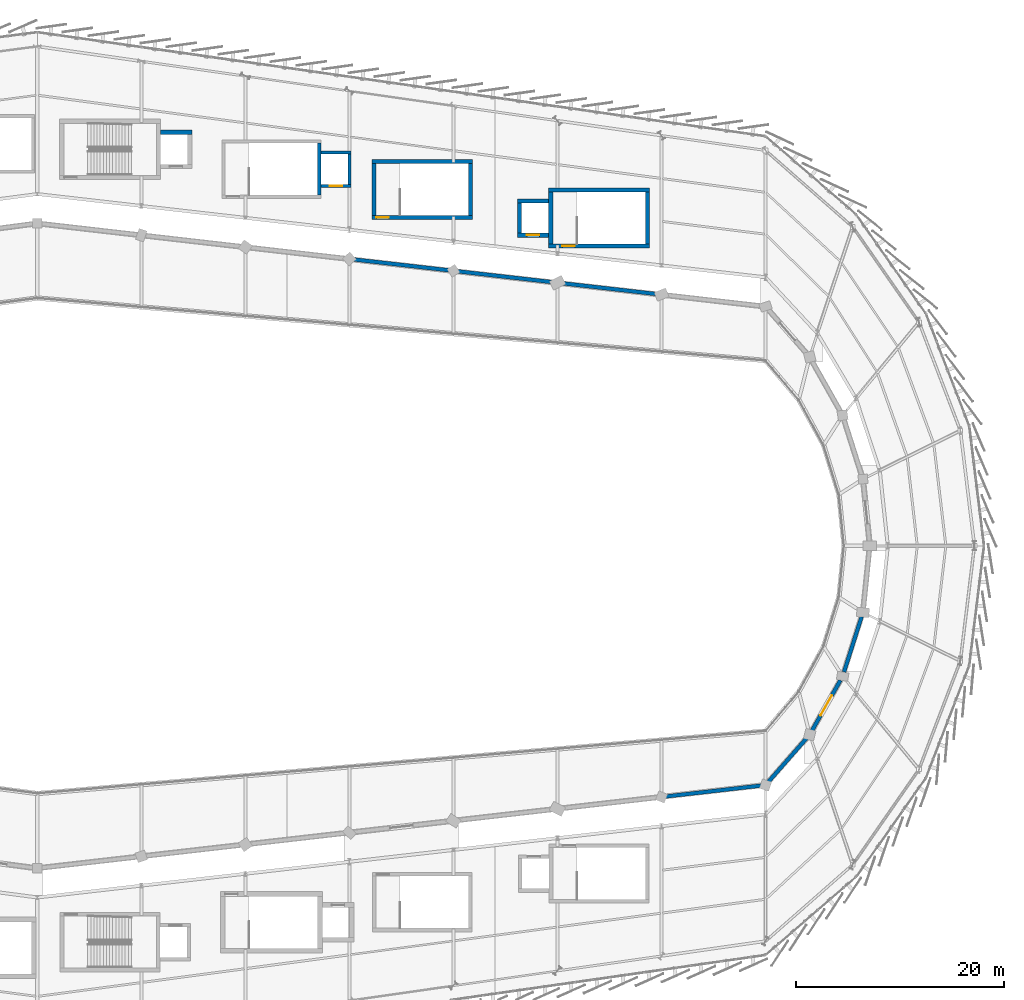
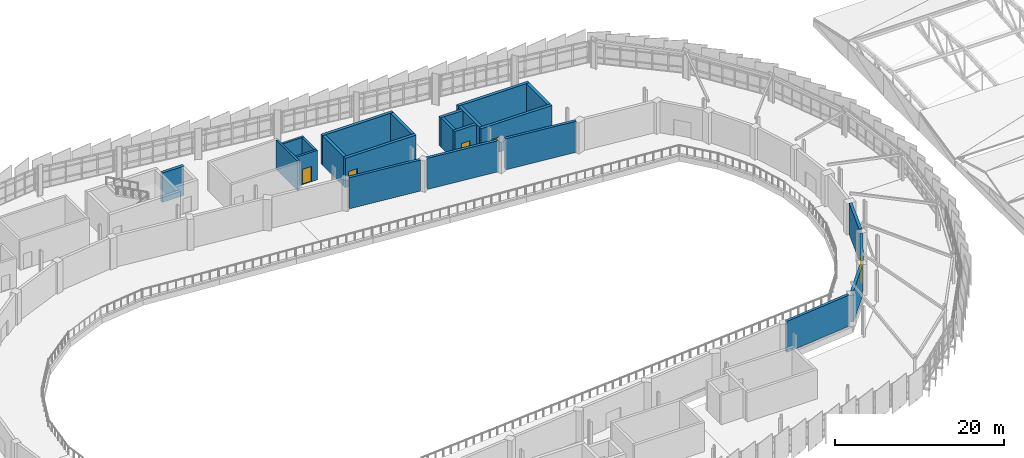
# One storey, part 78 of 87: 23 walls, 5 doors, 5 openings.
"""IFC4 building model written with IfcOpenShell, lengths in metres."""

from ifc_helpers import new_model, si_unit, direction, frame, frame_2d, origin, place, context, subcontext, project, spatial, rectangle, extrude, material, layer, layer_set, type_object, element, fill, save


model = new_model("IFC4")

# Units and contexts
model_context = context("Model", 3, precision=1e-05, world=origin(), true_north=direction((0.0, 1.0)))
body_context = subcontext(model_context, "Body", "Model", "MODEL_VIEW")
ifc_project = project(units=[si_unit("LENGTHUNIT", "METRE"), si_unit("AREAUNIT", "SQUARE_METRE"), si_unit("VOLUMEUNIT", "CUBIC_METRE"), si_unit("PLANEANGLEUNIT", "RADIAN"), si_unit("MASSUNIT", "GRAM", prefix="KILO")], contexts=[model_context])

# Site, building, storey
site_placement = place(None, origin())
site = spatial("IfcSite", under=ifc_project, at=site_placement, CompositionType="ELEMENT")
building_placement = place(site_placement, origin())
building = spatial("IfcBuilding", under=site, at=building_placement, Name="Sohan Crest Arena", CompositionType="ELEMENT")
storey_placement = place(building_placement, frame((0.0, 0.0, 18.0)))
storey = spatial("IfcBuildingStorey", under=building, at=storey_placement, Name="L04", CompositionType="ELEMENT", Elevation=18.0)

# Walls
ifc_material_1 = material(Name="Acoustic insulated bowl drum enclosure wall", Category="masonry")
ifc_layer_1 = layer(ifc_material_1, 0.3701171875, Name="Acoustic insulated bowl drum enclosure wall")
ifc_layer_set_1 = layer_set([ifc_layer_1], Name="Acoustic insulated bowl drum enclosure wall")
wall_type_1 = type_object("IfcWallType", Name="WAL-EW05", PredefinedType="SOLIDWALL", material=ifc_layer_set_1)
wall_1_placement = place(storey_placement, frame((158.43701171875, 53.906982421875, 0.0), z_axis=(0.0, 0.0, 1.0), x_axis=(0.993532672656, 0.113546591161, 0.0)))
element("IfcWall", 1, at=wall_1_placement, inside=storey, type_object=wall_type_1, Name="Acoustic bowl drum wall BW-L04-19", PredefinedType="SOLIDWALL", context=body_context, shape_type="SweptSolid", body=[
    extrude(rectangle(XDim=9.185302734375, YDim=0.3701171875, at=frame_2d((4.5927734375, 0.0))), origin(), (0.0, 0.0, 1.0), 4.5),
])
wall_2_placement = place(storey_placement, frame((168.2900390625, 55.3310546875, 0.0), z_axis=(0.0, 0.0, 1.0), x_axis=(0.658706624818, 0.752399881991, 0.0)))
element("IfcWall", 2, at=wall_2_placement, inside=storey, type_object=wall_type_1, Name="Acoustic bowl drum wall BW-L04-20", PredefinedType="SOLIDWALL", context=body_context, shape_type="SweptSolid", body=[
    extrude(rectangle(XDim=5.560546875, YDim=0.3701171875, at=frame_2d((2.7802734375, 0.0))), origin(), (0.0, 0.0, 1.0), 4.5),
])

# Wall, opening, door
wall_3_placement = place(storey_placement, frame((172.458984375, 60.22900390625, 0.0), z_axis=(0.0, 0.0, 1.0), x_axis=(0.491617455844, 0.870811275254, 0.0)))
wall_3 = element("IfcWall", 3, at=wall_3_placement, inside=storey, type_object=wall_type_1, Name="Acoustic bowl drum wall BW-L04-21", PredefinedType="SOLIDWALL", context=body_context, shape_type="SweptSolid", body=[
    extrude(rectangle(XDim=5.5615234375, YDim=0.3701171875, at=frame_2d((2.78076171875, 0.0))), origin(), (0.0, 0.0, 1.0), 4.5),
])
opening_1_placement = place(wall_3_placement, frame((1.680908203125, 0.0, 0.0)))
opening_1 = element("IfcOpeningElement", 4, at=opening_1_placement, cuts=wall_3, Name="Opening VD-L04-21", PredefinedType="OPENING", context=body_context, shape_type="SweptSolid", body=[
    extrude(rectangle(XDim=2.199951171875, YDim=2.300048828125, at=frame_2d((1.10009765625, 1.14990234375))), frame((0.0, 0.195068359375, 0.0), z_axis=(0.0, -1.0, 0.0), x_axis=(1.0, 0.0, 0.0)), (0.0, 0.0, 1.0), 0.39013671875),
])
ifc_material_2 = material(Name="Fire-rated steel double escape door", Category="steel")
door_type_1 = type_object("IfcDoorType", Name="DR-FD01", OperationType="DOUBLE_DOOR_SINGLE_SWING", PredefinedType="DOOR", material=ifc_material_2)
door_1_placement = place(opening_1_placement, origin())
door_1 = element("IfcDoor", 5, at=door_1_placement, inside=storey, type_object=door_type_1, Name="Bowl vomitory portal fire door VD-L04-21", OperationType="DOUBLE_DOOR_SINGLE_SWING", OverallHeight=2.300048828125, OverallWidth=2.199951171875, PredefinedType="DOOR", context=body_context, shape_type="SweptSolid", body=[
    extrude(rectangle(XDim=2.199951171875, YDim=2.300048828125, at=frame_2d((1.10009765625, 1.14990234375))), frame((0.0, 0.02490234375, 0.0), z_axis=(0.0, -1.0, 0.0), x_axis=(1.0, 0.0, 0.0)), (0.0, 0.0, 1.0), 0.050048828125),
])
fill(opening_1, door_1)

# Walls
wall_4_placement = place(storey_placement, frame((175.5419921875, 65.8740234375, 0.0), z_axis=(0.0, 0.0, 1.0), x_axis=(0.30346633641, 0.952842160416, 0.0)))
element("IfcWall", 6, at=wall_4_placement, inside=storey, type_object=wall_type_1, Name="Acoustic bowl drum wall BW-L04-22", PredefinedType="SOLIDWALL", context=body_context, shape_type="SweptSolid", body=[
    extrude(rectangle(XDim=5.562255859375, YDim=0.3701171875, at=frame_2d((2.78125, 0.0))), origin(), (0.0, 0.0, 1.0), 4.5),
])
for number, where, z_axis, x_axis, name in (
    (7, (157.56298828125, 102.193115234375, 0.0), (0.0, 0.0, 1.0), (-0.993532672656, 0.113546591161, 0.0), "Acoustic bowl drum wall BW-L04-29"),
    (8, (147.56298828125, 103.3359375, 0.0), (0.0, 0.0, 1.0), (-0.993532672656, 0.113546591161, 0.0), "Acoustic bowl drum wall BW-L04-30"),
    (9, (137.56298828125, 104.47900390625, 0.0), (0.0, 0.0, 1.0), (-0.993544661122, 0.113441642955, 0.0), "Acoustic bowl drum wall BW-L04-31"),
):
    element("IfcWall", number, at=place(storey_placement, frame(where, z_axis=z_axis, x_axis=x_axis)), inside=storey, type_object=wall_type_1, Name=name, PredefinedType="SOLIDWALL", context=body_context, shape_type="SweptSolid", body=[
        extrude(rectangle(XDim=9.185302734375, YDim=0.3701171875, at=frame_2d((4.5927734375, 0.0))), origin(), (0.0, 0.0, 1.0), 4.5),
    ])
ifc_material_3 = material(Name="Concrete C40/50", Category="concrete")
ifc_layer_2 = layer(ifc_material_3, 0.300048828125, Name="Concrete C40/50")
ifc_layer_set_2 = layer_set([ifc_layer_2], Name="Concrete C40/50")
wall_type_2 = type_object("IfcWallType", Name="WAL-SW01", PredefinedType="SHEAR", material=ifc_layer_set_2)
wall_5_placement = place(storey_placement, frame((125.10009765625, 111.699951171875, 0.0), z_axis=(0.0, 0.0, 1.0), x_axis=(0.0, 1.0, 0.0)))
element("IfcWall", 10, at=wall_5_placement, inside=storey, type_object=wall_type_2, Name="Core shear wall SW-0403", PredefinedType="SHEAR", context=body_context, shape_type="SweptSolid", body=[
    extrude(rectangle(XDim=5.0, YDim=0.300048828125, at=frame_2d((2.5, 0.0))), origin(), (0.0, 0.0, 1.0), 4.25),
])
wall_6_placement = place(storey_placement, frame((128.0, 112.75, 0.0), z_axis=(0.0, 0.0, 1.0), x_axis=(0.0, 1.0, 0.0)))
element("IfcWall", 11, at=wall_6_placement, inside=storey, type_object=wall_type_2, Name="Core shear wall SW-0406", PredefinedType="SHEAR", context=body_context, shape_type="SweptSolid", body=[
    extrude(rectangle(XDim=2.89990234375, YDim=0.300048828125, at=frame_2d((1.449951171875, 0.0))), origin(), (0.0, 0.0, 1.0), 4.25),
])

# Wall, opening, door
wall_7_placement = place(storey_placement, frame((125.25, 112.60009765625, 0.0), z_axis=(0.0, 0.0, 1.0), x_axis=(1.0, 0.0, 0.0)))
wall_7 = element("IfcWall", 12, at=wall_7_placement, inside=storey, type_object=wall_type_2, Name="Core shear wall SW-0407", PredefinedType="SHEAR", context=body_context, shape_type="SweptSolid", body=[
    extrude(rectangle(XDim=2.89990234375, YDim=0.300048828125, at=frame_2d((1.449951171875, 0.0))), origin(), (0.0, 0.0, 1.0), 4.25),
])
opening_2_placement = place(wall_7_placement, frame((0.85009765625, 0.0, 0.0)))
opening_2 = element("IfcOpeningElement", 13, at=opening_2_placement, cuts=wall_7, Name="Opening LD-LP06-L04", PredefinedType="OPENING", context=body_context, shape_type="SweptSolid", body=[
    extrude(rectangle(XDim=1.199951171875, YDim=2.199951171875, at=frame_2d((0.60009765625, 1.10009765625))), frame((0.0, 0.159912109375, 0.0), z_axis=(0.0, -1.0, 0.0), x_axis=(1.0, 0.0, 0.0)), (0.0, 0.0, 1.0), 0.320068359375),
])
ifc_material_4 = material(Name="Stainless steel passenger lift landing door", Category="steel")
door_type_2 = type_object("IfcDoorType", Name="DR-LD02", OperationType="SLIDING_TO_LEFT", PredefinedType="DOOR", material=ifc_material_4)
door_2_placement = place(opening_2_placement, origin())
door_2 = element("IfcDoor", 14, at=door_2_placement, inside=storey, type_object=door_type_2, Name="Sliding lift landing door LD-LP06-L04", OperationType="SLIDING_TO_LEFT", OverallHeight=2.199951171875, OverallWidth=1.199951171875, PredefinedType="DOOR", context=body_context, shape_type="SweptSolid", body=[
    extrude(rectangle(XDim=1.199951171875, YDim=2.199951171875, at=frame_2d((0.60009765625, 1.10009765625))), frame((0.0, 0.02490234375, 0.0), z_axis=(0.0, -1.0, 0.0), x_axis=(1.0, 0.0, 0.0)), (0.0, 0.0, 1.0), 0.050048828125),
])
fill(opening_2, door_2)

# Walls
wall_8_placement = place(storey_placement, frame((125.25, 115.800048828125, 0.0), z_axis=(0.0, 0.0, 1.0), x_axis=(1.0, 0.0, 0.0)))
element("IfcWall", 15, at=wall_8_placement, inside=storey, type_object=wall_type_2, Name="Core shear wall SW-0408", PredefinedType="SHEAR", context=body_context, shape_type="SweptSolid", body=[
    extrude(rectangle(XDim=2.89990234375, YDim=0.300048828125, at=frame_2d((1.449951171875, 0.0))), origin(), (0.0, 0.0, 1.0), 4.25),
])
ifc_layer_3 = layer(ifc_material_3, 0.39990234375, Name="Concrete C40/50")
ifc_layer_set_3 = layer_set([ifc_layer_3], Name="Concrete C40/50")
wall_type_3 = type_object("IfcWallType", Name="WAL-SW03", PredefinedType="SHEAR", material=ifc_layer_set_3)
wall_9_placement = place(storey_placement, frame((109.85009765625, 117.75, 0.0), z_axis=(0.0, 0.0, 1.0), x_axis=(1.0, 0.0, 0.0)))
element("IfcWall", 16, at=wall_9_placement, inside=storey, type_object=wall_type_3, Name="Core shear wall SW-0323", PredefinedType="SHEAR", context=body_context, shape_type="SweptSolid", body=[
    extrude(rectangle(XDim=3.0, YDim=0.39990234375, at=frame_2d((1.5, 0.0))), origin(), (0.0, 0.0, 1.0), 4.25),
])
for number, where, z_axis, x_axis, name in (
    (17, (147.35009765625, 107.0, 0.0), (0.0, 0.0, 1.0), (0.0, 1.0, 0.0), "Core shear wall SW-0480"),
    (18, (156.64990234375, 107.0, 0.0), (0.0, 0.0, 1.0), (0.0, 1.0, 0.0), "Core shear wall SW-0481"),
):
    element("IfcWall", number, at=place(storey_placement, frame(where, z_axis=z_axis, x_axis=x_axis)), inside=storey, type_object=wall_type_3, Name=name, PredefinedType="SHEAR", context=body_context, shape_type="SweptSolid", body=[
        extrude(rectangle(XDim=5.0, YDim=0.39990234375, at=frame_2d((2.5, 0.0))), origin(), (0.0, 0.0, 1.0), 4.25),
    ])

# Wall, opening, door
wall_10_placement = place(storey_placement, frame((147.14990234375, 106.800048828125, 0.0), z_axis=(0.0, 0.0, 1.0), x_axis=(1.0, 0.0, 0.0)))
wall_10 = element("IfcWall", 19, at=wall_10_placement, inside=storey, type_object=wall_type_3, Name="Core shear wall SW-0482", PredefinedType="SHEAR", context=body_context, shape_type="SweptSolid", body=[
    extrude(rectangle(XDim=9.7001953125, YDim=0.39990234375, at=frame_2d((4.85009765625, 0.0))), origin(), (0.0, 0.0, 1.0), 4.25),
])
opening_3_placement = place(wall_10_placement, frame((1.320068359375, 0.0, 0.0)))
opening_3 = element("IfcOpeningElement", 20, at=opening_3_placement, cuts=wall_10, Name="Opening SD-0133", PredefinedType="OPENING", context=body_context, shape_type="SweptSolid", body=[
    extrude(rectangle(XDim=1.199951171875, YDim=2.199951171875, at=frame_2d((0.60009765625, 1.10009765625))), frame((0.0, 0.2099609375, 0.0), z_axis=(0.0, -1.0, 0.0), x_axis=(1.0, 0.0, 0.0)), (0.0, 0.0, 1.0), 0.419921875),
])
ifc_material_5 = material(Name="Fire-rated steel stair and lobby door", Category="steel")
door_type_3 = type_object("IfcDoorType", Name="DR-FD04", OperationType="NOTDEFINED", PredefinedType="DOOR", material=ifc_material_5)
door_3_placement = place(opening_3_placement, frame((1.199951171875, 0.0, 0.0), z_axis=(0.0, 0.0, 1.0), x_axis=(-1.0, 0.0, 0.0)))
door_3 = element("IfcDoor", 21, at=door_3_placement, inside=storey, type_object=door_type_3, Name="Protected stair door SD-0133", OperationType="SINGLE_SWING_RIGHT", OverallHeight=2.199951171875, OverallWidth=1.199951171875, PredefinedType="DOOR", context=body_context, shape_type="SweptSolid", body=[
    extrude(rectangle(XDim=1.199951171875, YDim=2.199951171875, at=frame_2d((0.60009765625, 1.10009765625))), frame((0.0, 0.02490234375, 0.0), z_axis=(0.0, -1.0, 0.0), x_axis=(1.0, 0.0, 0.0)), (0.0, 0.0, 1.0), 0.050048828125),
])
fill(opening_3, door_3)

# Walls
wall_11_placement = place(storey_placement, frame((147.14990234375, 112.199951171875, 0.0), z_axis=(0.0, 0.0, 1.0), x_axis=(1.0, 0.0, 0.0)))
element("IfcWall", 22, at=wall_11_placement, inside=storey, type_object=wall_type_3, Name="Core shear wall SW-0483", PredefinedType="SHEAR", context=body_context, shape_type="SweptSolid", body=[
    extrude(rectangle(XDim=9.7001953125, YDim=0.39990234375, at=frame_2d((4.85009765625, 0.0))), origin(), (0.0, 0.0, 1.0), 4.25),
])
wall_12_placement = place(storey_placement, frame((144.35009765625, 108.050048828125, 0.0), z_axis=(0.0, 0.0, 1.0), x_axis=(0.0, 1.0, 0.0)))
element("IfcWall", 23, at=wall_12_placement, inside=storey, type_object=wall_type_3, Name="Core shear wall SW-0484", PredefinedType="SHEAR", context=body_context, shape_type="SweptSolid", body=[
    extrude(rectangle(XDim=2.89990234375, YDim=0.39990234375, at=frame_2d((1.449951171875, 0.0))), origin(), (0.0, 0.0, 1.0), 4.25),
])

# Wall, opening, door
wall_13_placement = place(storey_placement, frame((144.14990234375, 107.85009765625, 0.0), z_axis=(0.0, 0.0, 1.0), x_axis=(1.0, 0.0, 0.0)))
wall_13 = element("IfcWall", 24, at=wall_13_placement, inside=storey, type_object=wall_type_3, Name="Core shear wall SW-0485", PredefinedType="SHEAR", context=body_context, shape_type="SweptSolid", body=[
    extrude(rectangle(XDim=3.0, YDim=0.39990234375, at=frame_2d((1.5, 0.0))), origin(), (0.0, 0.0, 1.0), 4.25),
])
opening_4_placement = place(wall_13_placement, frame((0.89990234375, 0.0, 0.0)))
opening_4 = element("IfcOpeningElement", 25, at=opening_4_placement, cuts=wall_13, Name="Opening LD-LP08-L04", PredefinedType="OPENING", context=body_context, shape_type="SweptSolid", body=[
    extrude(rectangle(XDim=1.199951171875, YDim=2.199951171875, at=frame_2d((0.60009765625, 1.10009765625))), frame((0.0, 0.2099609375, 0.0), z_axis=(0.0, -1.0, 0.0), x_axis=(1.0, 0.0, 0.0)), (0.0, 0.0, 1.0), 0.419921875),
])
door_4_placement = place(opening_4_placement, origin())
door_4 = element("IfcDoor", 26, at=door_4_placement, inside=storey, type_object=door_type_2, Name="Sliding lift landing door LD-LP08-L04", OperationType="SLIDING_TO_LEFT", OverallHeight=2.199951171875, OverallWidth=1.199951171875, PredefinedType="DOOR", context=body_context, shape_type="SweptSolid", body=[
    extrude(rectangle(XDim=1.199951171875, YDim=2.199951171875, at=frame_2d((0.60009765625, 1.10009765625))), frame((0.0, 0.02490234375, 0.0), z_axis=(0.0, -1.0, 0.0), x_axis=(1.0, 0.0, 0.0)), (0.0, 0.0, 1.0), 0.050048828125),
])
fill(opening_4, door_4)

# Walls
wall_14_placement = place(storey_placement, frame((144.14990234375, 111.14990234375, 0.0), z_axis=(0.0, 0.0, 1.0), x_axis=(1.0, 0.0, 0.0)))
element("IfcWall", 27, at=wall_14_placement, inside=storey, type_object=wall_type_3, Name="Core shear wall SW-0486", PredefinedType="SHEAR", context=body_context, shape_type="SweptSolid", body=[
    extrude(rectangle(XDim=3.0, YDim=0.39990234375, at=frame_2d((1.5, 0.0))), origin(), (0.0, 0.0, 1.0), 4.25),
])
for number, where, z_axis, x_axis, name in (
    (28, (130.35009765625, 109.75, 0.0), (0.0, 0.0, 1.0), (0.0, 1.0, 0.0), "Core shear wall SW-0825"),
    (29, (139.64990234375, 109.75, 0.0), (0.0, 0.0, 1.0), (0.0, 1.0, 0.0), "Core shear wall SW-0826"),
):
    element("IfcWall", number, at=place(storey_placement, frame(where, z_axis=z_axis, x_axis=x_axis)), inside=storey, type_object=wall_type_3, Name=name, PredefinedType="SHEAR", context=body_context, shape_type="SweptSolid", body=[
        extrude(rectangle(XDim=5.0, YDim=0.39990234375, at=frame_2d((2.5, 0.0))), origin(), (0.0, 0.0, 1.0), 4.25),
    ])

# Wall, opening, door
wall_15_placement = place(storey_placement, frame((130.14990234375, 109.550048828125, 0.0), z_axis=(0.0, 0.0, 1.0), x_axis=(1.0, 0.0, 0.0)))
wall_15 = element("IfcWall", 30, at=wall_15_placement, inside=storey, type_object=wall_type_3, Name="Core shear wall SW-0827", PredefinedType="SHEAR", context=body_context, shape_type="SweptSolid", body=[
    extrude(rectangle(XDim=9.7001953125, YDim=0.39990234375, at=frame_2d((4.85009765625, 0.0))), origin(), (0.0, 0.0, 1.0), 4.25),
])
opening_5_placement = place(wall_15_placement, frame((0.449951171875, 0.0, 0.0)))
opening_5 = element("IfcOpeningElement", 31, at=opening_5_placement, cuts=wall_15, Name="Opening SD-0222", PredefinedType="OPENING", context=body_context, shape_type="SweptSolid", body=[
    extrude(rectangle(XDim=1.199951171875, YDim=2.199951171875, at=frame_2d((0.60009765625, 1.10009765625))), frame((0.0, 0.2099609375, 0.0), z_axis=(0.0, -1.0, 0.0), x_axis=(1.0, 0.0, 0.0)), (0.0, 0.0, 1.0), 0.419921875),
])
door_5_placement = place(opening_5_placement, frame((1.199951171875, 0.0, 0.0), z_axis=(0.0, 0.0, 1.0), x_axis=(-1.0, 0.0, 0.0)))
door_5 = element("IfcDoor", 32, at=door_5_placement, inside=storey, type_object=door_type_3, Name="Protected stair door SD-0222", OperationType="SINGLE_SWING_RIGHT", OverallHeight=2.199951171875, OverallWidth=1.199951171875, PredefinedType="DOOR", context=body_context, shape_type="SweptSolid", body=[
    extrude(rectangle(XDim=1.199951171875, YDim=2.199951171875, at=frame_2d((0.60009765625, 1.10009765625))), frame((0.0, 0.02490234375, 0.0), z_axis=(0.0, -1.0, 0.0), x_axis=(1.0, 0.0, 0.0)), (0.0, 0.0, 1.0), 0.050048828125),
])
fill(opening_5, door_5)

# Wall
wall_16_placement = place(storey_placement, frame((130.14990234375, 114.949951171875, 0.0), z_axis=(0.0, 0.0, 1.0), x_axis=(1.0, 0.0, 0.0)))
element("IfcWall", 33, at=wall_16_placement, inside=storey, type_object=wall_type_3, Name="Core shear wall SW-0828", PredefinedType="SHEAR", context=body_context, shape_type="SweptSolid", body=[
    extrude(rectangle(XDim=9.7001953125, YDim=0.39990234375, at=frame_2d((4.85009765625, 0.0))), origin(), (0.0, 0.0, 1.0), 4.25),
])

save(model, "model.ifc")
